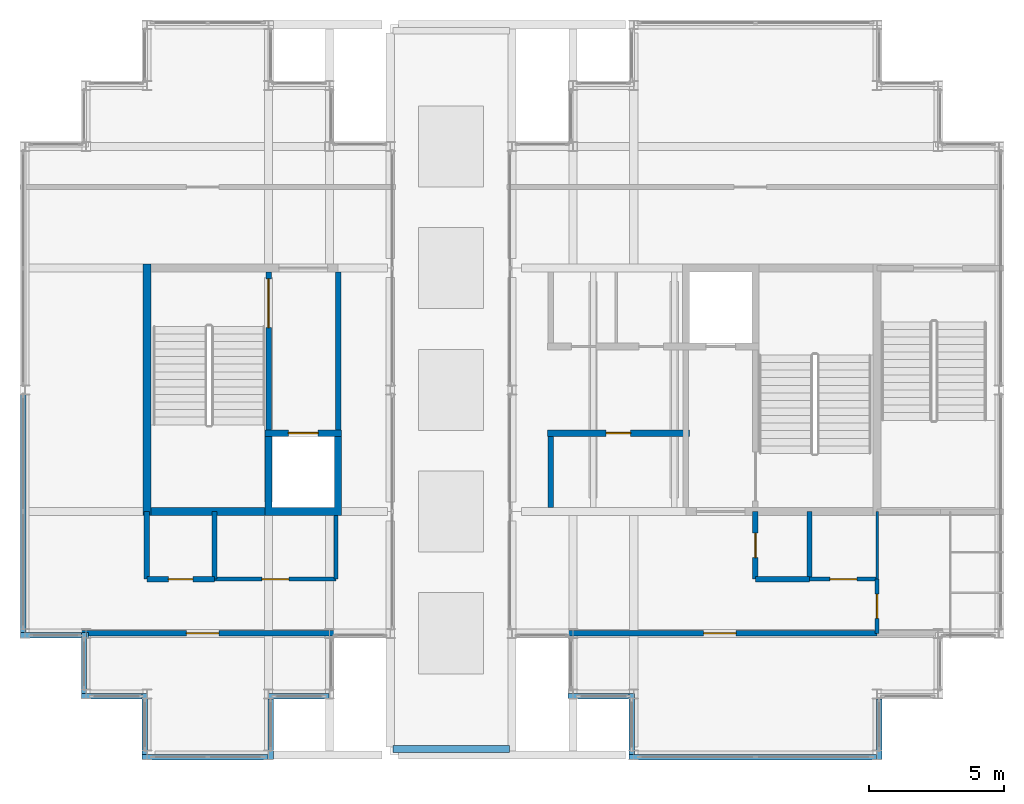
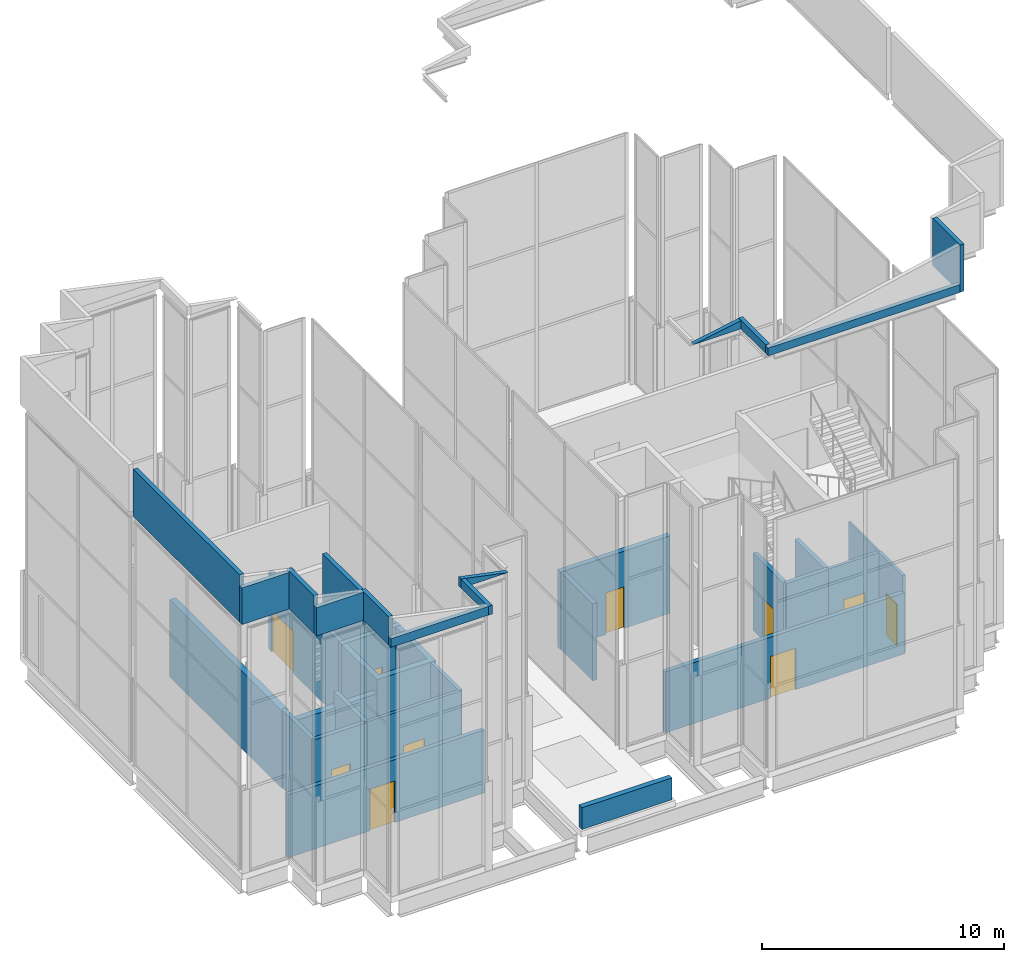
# One storey, part 14 of 23: 34 walls, 10 doors, 10 openings.
"""IFC4 building model written with IfcOpenShell, lengths in metres."""

from ifc_helpers import new_model, si_unit, direction, frame, frame_2d, origin, place, context, subcontext, project, spatial, polyline, rectangle, outline, extrude, material, layer, layer_set, type_object, element, fill, save


model = new_model("IFC4")

# Units and contexts
model_context = context("Model", 3, precision=1e-05, world=origin(), true_north=direction((0.0, 1.0)))
body_context = subcontext(model_context, "Body", "Model", "MODEL_VIEW")
ifc_project = project(units=[si_unit("LENGTHUNIT", "METRE"), si_unit("AREAUNIT", "SQUARE_METRE"), si_unit("VOLUMEUNIT", "CUBIC_METRE"), si_unit("PLANEANGLEUNIT", "RADIAN"), si_unit("MASSUNIT", "GRAM", prefix="KILO")], contexts=[model_context])

# Site, building, storey
site_placement = place(None, origin())
site = spatial("IfcSite", under=ifc_project, at=site_placement, CompositionType="ELEMENT")
building_placement = place(site_placement, origin())
building = spatial("IfcBuilding", under=site, at=building_placement, Name="Caravel Reach Hotel and Residences", CompositionType="ELEMENT")
storey_placement = place(building_placement, frame((0.0, 0.0, 312.800048828125)))
storey = spatial("IfcBuildingStorey", under=building, at=storey_placement, Name="L79", CompositionType="ELEMENT", Elevation=312.800048828125)

# Wall
ifc_material_1 = material(Name="Autoclaved aerated block wall")
ifc_layer_1 = layer(ifc_material_1, 0.199951171875)
ifc_layer_set_1 = layer_set([ifc_layer_1], Name="Compartment wall 200 mm EI 120")
wall_type_1 = type_object("IfcWallType", Name="Compartment wall 200 mm EI 120", PredefinedType="PARTITIONING", material=ifc_layer_set_1)
wall_1_placement = place(storey_placement, frame((32.935791015625, 22.64990234375, 0.0), z_axis=(0.0, 0.0, 1.0), x_axis=(0.0, 1.0, 0.0)))
element("IfcWall", 1, at=wall_1_placement, inside=storey, type_object=wall_type_1, Name="L79 store partition", PredefinedType="PARTITIONING", context=body_context, shape_type="SweptSolid", body=[
    extrude(rectangle(XDim=2.625, YDim=0.199951171875, at=frame_2d((1.3125, 0.0))), origin(), (0.0, 0.0, 1.0), 3.89990234375),
])

# Wall, opening, door
wall_2_placement = place(storey_placement, frame((33.56005859375, 18.0, 0.0), z_axis=(0.0, 0.0, 1.0), x_axis=(1.0, 0.0, 0.0)))
wall_2 = element("IfcWall", 2, at=wall_2_placement, inside=storey, type_object=wall_type_1, Name="L79 wall w006", PredefinedType="PARTITIONING", context=body_context, shape_type="SweptSolid", body=[
    extrude(rectangle(XDim=11.43994140625, YDim=0.199951171875, at=frame_2d((5.719970703125, 0.0))), origin(), (0.0, 0.0, 1.0), 3.079833984375),
])
opening_1_placement = place(wall_2_placement, frame((5.02490234375, 0.0, 0.0)))
opening_1 = element("IfcOpeningElement", 3, at=opening_1_placement, cuts=wall_2, Name="Opening D79-015", PredefinedType="OPENING", context=body_context, shape_type="SweptSolid", body=[
    extrude(rectangle(XDim=1.199951171875, YDim=2.10009765625, at=frame_2d((0.60009765625, 1.050048828125))), frame((0.0, 0.10986328125, 0.0), z_axis=(0.0, -1.0, 0.0), x_axis=(1.0, 0.0, 0.0)), (0.0, 0.0, 1.0), 0.219970703125),
])
ifc_material_2 = material(Name="Steel fire door leaf", Category="steel")
door_type_1 = type_object("IfcDoorType", Name="Plant room door 1200 x 2100 EI 60", OperationType="SINGLE_SWING_LEFT", PredefinedType="DOOR", material=ifc_material_2)
door_1_placement = place(opening_1_placement, origin())
door_1 = element("IfcDoor", 4, at=door_1_placement, inside=storey, type_object=door_type_1, Name="door D79-015", OperationType="SINGLE_SWING_LEFT", OverallHeight=2.10009765625, OverallWidth=1.199951171875, PredefinedType="DOOR", context=body_context, shape_type="SweptSolid", body=[
    extrude(rectangle(XDim=1.199951171875, YDim=2.10009765625, at=frame_2d((0.60009765625, 1.050048828125))), frame((0.0, 0.02490234375, 0.0), z_axis=(0.0, -1.0, 0.0), x_axis=(1.0, 0.0, 0.0)), (0.0, 0.0, 1.0), 0.050048828125),
])
fill(opening_1, door_1)

wall_3_placement = place(storey_placement, frame((15.56005859375, 18.0, 0.0), z_axis=(0.0, 0.0, 1.0), x_axis=(1.0, 0.0, 0.0)))
wall_3 = element("IfcWall", 5, at=wall_3_placement, inside=storey, type_object=wall_type_1, Name="L79 wall w008", PredefinedType="PARTITIONING", context=body_context, shape_type="SweptSolid", body=[
    extrude(rectangle(XDim=9.3798828125, YDim=0.199951171875, at=frame_2d((4.68994140625, 0.0))), origin(), (0.0, 0.0, 1.0), 3.179931640625),
])
opening_2_placement = place(wall_3_placement, frame((3.89990234375, 0.0, 0.0)))
opening_2 = element("IfcOpeningElement", 6, at=opening_2_placement, cuts=wall_3, Name="Opening D79-017", PredefinedType="OPENING", context=body_context, shape_type="SweptSolid", body=[
    extrude(rectangle(XDim=1.199951171875, YDim=2.10009765625, at=frame_2d((0.60009765625, 1.050048828125))), frame((0.0, 0.10986328125, 0.0), z_axis=(0.0, -1.0, 0.0), x_axis=(1.0, 0.0, 0.0)), (0.0, 0.0, 1.0), 0.219970703125),
])
door_2_placement = place(opening_2_placement, origin())
door_2 = element("IfcDoor", 7, at=door_2_placement, inside=storey, type_object=door_type_1, Name="door D79-017", OperationType="SINGLE_SWING_LEFT", OverallHeight=2.10009765625, OverallWidth=1.199951171875, PredefinedType="DOOR", context=body_context, shape_type="SweptSolid", body=[
    extrude(rectangle(XDim=1.199951171875, YDim=2.10009765625, at=frame_2d((0.60009765625, 1.050048828125))), frame((0.0, 0.02490234375, 0.0), z_axis=(0.0, -1.0, 0.0), x_axis=(1.0, 0.0, 0.0)), (0.0, 0.0, 1.0), 0.050048828125),
])
fill(opening_2, door_2)

# Wall
wall_4_placement = place(storey_placement, frame((40.5, 20.0, 0.0), z_axis=(0.0, 0.0, 1.0), x_axis=(1.0, 0.0, 0.0)))
element("IfcWall", 8, at=wall_4_placement, inside=storey, type_object=wall_type_1, Name="L79 wall w009", PredefinedType="PARTITIONING", context=body_context, shape_type="SweptSolid", body=[
    extrude(rectangle(XDim=2.0, YDim=0.199951171875, at=frame_2d((1.0, 0.0))), origin(), (0.0, 0.0, 1.0), 3.89990234375),
])

# Wall, opening, door
wall_5_placement = place(storey_placement, frame((18.0, 20.0, 0.0), z_axis=(0.0, 0.0, 1.0), x_axis=(1.0, 0.0, 0.0)))
wall_5 = element("IfcWall", 9, at=wall_5_placement, inside=storey, type_object=wall_type_1, Name="L79 wall w010", PredefinedType="PARTITIONING", context=body_context, shape_type="SweptSolid", body=[
    extrude(rectangle(XDim=2.5, YDim=0.199951171875, at=frame_2d((1.25, 0.0))), origin(), (0.0, 0.0, 1.0), 3.89990234375),
])
opening_3_placement = place(wall_5_placement, frame((0.800048828125, 0.0, 0.0)))
opening_3 = element("IfcOpeningElement", 10, at=opening_3_placement, cuts=wall_5, Name="Opening D79-013", PredefinedType="OPENING", context=body_context, shape_type="SweptSolid", body=[
    extrude(rectangle(XDim=0.89990234375, YDim=2.10009765625, at=frame_2d((0.449951171875, 1.050048828125))), frame((0.0, 0.10986328125, 0.0), z_axis=(0.0, -1.0, 0.0), x_axis=(1.0, 0.0, 0.0)), (0.0, 0.0, 1.0), 0.219970703125),
])
ifc_material_3 = material(Name="Steel fire door leaf", Category="steel")
door_type_2 = type_object("IfcDoorType", Name="Riser door 900 x 2100 EI 60", OperationType="SINGLE_SWING_LEFT", PredefinedType="DOOR", material=ifc_material_3)
door_3_placement = place(opening_3_placement, origin())
door_3 = element("IfcDoor", 11, at=door_3_placement, inside=storey, type_object=door_type_2, Name="door D79-013", OperationType="SINGLE_SWING_RIGHT", OverallHeight=2.10009765625, OverallWidth=0.89990234375, PredefinedType="DOOR", context=body_context, shape_type="SweptSolid", body=[
    extrude(rectangle(XDim=0.89990234375, YDim=2.10009765625, at=frame_2d((0.449951171875, 1.050048828125))), frame((0.0, 0.02490234375, 0.0), z_axis=(0.0, -1.0, 0.0), x_axis=(1.0, 0.0, 0.0)), (0.0, 0.0, 1.0), 0.050048828125),
])
fill(opening_3, door_3)

# Walls
for number, where, z_axis, x_axis, name in (
    (12, (18.0, 20.0, 0.0), (0.0, 0.0, 1.0), (0.0, 1.0, 0.0), "L79 wall w013"),
    (13, (20.5, 20.0, 0.0), (0.0, 0.0, 1.0), (0.0, 1.0, 0.0), "L79 wall w014"),
):
    element("IfcWall", number, at=place(storey_placement, frame(where, z_axis=z_axis, x_axis=x_axis)), inside=storey, type_object=wall_type_1, Name=name, PredefinedType="PARTITIONING", context=body_context, shape_type="SweptSolid", body=[
        extrude(rectangle(XDim=2.5, YDim=0.199951171875, at=frame_2d((1.25, 0.0))), origin(), (0.0, 0.0, 1.0), 3.89990234375),
    ])

# Wall, opening, door
wall_6_placement = place(storey_placement, frame((40.5, 20.0, 0.0), z_axis=(0.0, 0.0, 1.0), x_axis=(0.0, 1.0, 0.0)))
wall_6 = element("IfcWall", 14, at=wall_6_placement, inside=storey, type_object=wall_type_1, Name="L79 wall w015", PredefinedType="PARTITIONING", context=body_context, shape_type="SweptSolid", body=[
    extrude(rectangle(XDim=2.5, YDim=0.199951171875, at=frame_2d((1.25, 0.0))), origin(), (0.0, 0.0, 1.0), 3.89990234375),
])
opening_4_placement = place(wall_6_placement, frame((0.800048828125, 0.0, 0.0)))
opening_4 = element("IfcOpeningElement", 15, at=opening_4_placement, cuts=wall_6, Name="Opening D79-011", PredefinedType="OPENING", context=body_context, shape_type="SweptSolid", body=[
    extrude(rectangle(XDim=0.89990234375, YDim=2.10009765625, at=frame_2d((0.449951171875, 1.050048828125))), frame((0.0, 0.10986328125, 0.0), z_axis=(0.0, -1.0, 0.0), x_axis=(1.0, 0.0, 0.0)), (0.0, 0.0, 1.0), 0.219970703125),
])
door_4_placement = place(opening_4_placement, origin())
door_4 = element("IfcDoor", 16, at=door_4_placement, inside=storey, type_object=door_type_2, Name="door D79-011", OperationType="SINGLE_SWING_RIGHT", OverallHeight=2.10009765625, OverallWidth=0.89990234375, PredefinedType="DOOR", context=body_context, shape_type="SweptSolid", body=[
    extrude(rectangle(XDim=0.89990234375, YDim=2.10009765625, at=frame_2d((0.449951171875, 1.050048828125))), frame((0.0, 0.02490234375, 0.0), z_axis=(0.0, -1.0, 0.0), x_axis=(1.0, 0.0, 0.0)), (0.0, 0.0, 1.0), 0.050048828125),
])
fill(opening_4, door_4)

# Walls
wall_7_placement = place(storey_placement, frame((42.5, 20.0, 0.0), z_axis=(0.0, 0.0, 1.0), x_axis=(0.0, 1.0, 0.0)))
element("IfcWall", 17, at=wall_7_placement, inside=storey, type_object=wall_type_1, Name="L79 wall w016", PredefinedType="PARTITIONING", context=body_context, shape_type="SweptSolid", body=[
    extrude(rectangle(XDim=2.5, YDim=0.199951171875, at=frame_2d((1.25, 0.0))), origin(), (0.0, 0.0, 1.0), 3.89990234375),
])
ifc_material_4 = material(Name="Concrete C60", Category="concrete")
ifc_layer_2 = layer(ifc_material_4, 0.300048828125)
ifc_layer_set_2 = layer_set([ifc_layer_2], Name="Core wall 300 mm EI 120")
wall_type_2 = type_object("IfcWallType", Name="Core wall 300 mm EI 120", PredefinedType="SHEAR", material=ifc_layer_set_2)
wall_8_placement = place(storey_placement, frame((18.14990234375, 22.5, 0.0), z_axis=(0.0, 0.0, 1.0), x_axis=(1.0, 0.0, 0.0)))
element("IfcWall", 18, at=wall_8_placement, inside=storey, type_object=wall_type_2, Name="L79 core wall S1", PredefinedType="SHEAR", context=body_context, shape_type="SweptSolid", body=[
    extrude(rectangle(XDim=4.22509765625, YDim=0.300048828125, at=frame_2d((2.112548828125, 0.0))), origin(), (0.0, 0.0, 1.0), 3.199951171875),
])
wall_9_placement = place(storey_placement, frame((18.0, 22.35009765625, 0.0), z_axis=(0.0, 0.0, 1.0), x_axis=(0.0, 1.0, 0.0)))
element("IfcWall", 19, at=wall_9_placement, inside=storey, type_object=wall_type_2, Name="L79 core wall W", PredefinedType="SHEAR", context=body_context, shape_type="SweptSolid", body=[
    extrude(rectangle(XDim=9.2998046875, YDim=0.300048828125, at=frame_2d((4.64990234375, 0.0))), origin(), (0.0, 0.0, 1.0), 3.89990234375),
])

# Wall, opening, door
ifc_material_5 = material(Name="Gypsum board on steel stud, fire-rated", Category="steel")
ifc_layer_3 = layer(ifc_material_5, 0.14990234375)
ifc_layer_set_3 = layer_set([ifc_layer_3], Name="Corridor wall 150 mm EI 60")
wall_type_3 = type_object("IfcWallType", Name="Corridor wall 150 mm EI 60", PredefinedType="PARTITIONING", material=ifc_layer_set_3)
wall_10_placement = place(storey_placement, frame((42.5, 20.0, 0.0), z_axis=(0.0, 0.0, 1.0), x_axis=(1.0, 0.0, 0.0)))
wall_10 = element("IfcWall", 20, at=wall_10_placement, inside=storey, type_object=wall_type_3, Name="L79 wall w001", PredefinedType="PARTITIONING", context=body_context, shape_type="SweptSolid", body=[
    extrude(rectangle(XDim=2.5, YDim=0.14990234375, at=frame_2d((1.25, 0.0))), origin(), (0.0, 0.0, 1.0), 3.89990234375),
])
opening_5_placement = place(wall_10_placement, frame((0.75, 0.0, 0.0)))
opening_5 = element("IfcOpeningElement", 21, at=opening_5_placement, cuts=wall_10, Name="Opening D79-012", PredefinedType="OPENING", context=body_context, shape_type="SweptSolid", body=[
    extrude(rectangle(XDim=1.0, YDim=2.10009765625, at=frame_2d((0.5, 1.050048828125))), frame((0.0, 0.0849609375, 0.0), z_axis=(0.0, -1.0, 0.0), x_axis=(1.0, 0.0, 0.0)), (0.0, 0.0, 1.0), 0.169921875),
])
ifc_material_6 = material(Name="Steel fire door leaf", Category="steel")
door_type_3 = type_object("IfcDoorType", Name="Fire door 1000 x 2100 EI 60", OperationType="SINGLE_SWING_LEFT", PredefinedType="DOOR", material=ifc_material_6)
door_5_placement = place(opening_5_placement, origin())
door_5 = element("IfcDoor", 22, at=door_5_placement, inside=storey, type_object=door_type_3, Name="door D79-012", OperationType="SINGLE_SWING_RIGHT", OverallHeight=2.10009765625, OverallWidth=1.0, PredefinedType="DOOR", context=body_context, shape_type="SweptSolid", body=[
    extrude(rectangle(XDim=1.0, YDim=2.10009765625, at=frame_2d((0.5, 1.050048828125))), frame((0.0, 0.02490234375, 0.0), z_axis=(0.0, -1.0, 0.0), x_axis=(1.0, 0.0, 0.0)), (0.0, 0.0, 1.0), 0.050048828125),
])
fill(opening_5, door_5)

wall_11_placement = place(storey_placement, frame((20.5, 20.0, 0.0), z_axis=(0.0, 0.0, 1.0), x_axis=(1.0, 0.0, 0.0)))
wall_11 = element("IfcWall", 23, at=wall_11_placement, inside=storey, type_object=wall_type_3, Name="L79 wall w002", PredefinedType="PARTITIONING", context=body_context, shape_type="SweptSolid", body=[
    extrude(rectangle(XDim=4.5, YDim=0.14990234375, at=frame_2d((2.25, 0.0))), origin(), (0.0, 0.0, 1.0), 3.89990234375),
])
opening_6_placement = place(wall_11_placement, frame((1.75, 0.0, 0.0)))
opening_6 = element("IfcOpeningElement", 24, at=opening_6_placement, cuts=wall_11, Name="Opening D79-014", PredefinedType="OPENING", context=body_context, shape_type="SweptSolid", body=[
    extrude(rectangle(XDim=1.0, YDim=2.10009765625, at=frame_2d((0.5, 1.050048828125))), frame((0.0, 0.0849609375, 0.0), z_axis=(0.0, -1.0, 0.0), x_axis=(1.0, 0.0, 0.0)), (0.0, 0.0, 1.0), 0.169921875),
])
door_6_placement = place(opening_6_placement, origin())
door_6 = element("IfcDoor", 25, at=door_6_placement, inside=storey, type_object=door_type_3, Name="door D79-014", OperationType="SINGLE_SWING_LEFT", OverallHeight=2.10009765625, OverallWidth=1.0, PredefinedType="DOOR", context=body_context, shape_type="SweptSolid", body=[
    extrude(rectangle(XDim=1.0, YDim=2.10009765625, at=frame_2d((0.5, 1.050048828125))), frame((0.0, 0.02490234375, 0.0), z_axis=(0.0, -1.0, 0.0), x_axis=(1.0, 0.0, 0.0)), (0.0, 0.0, 1.0), 0.050048828125),
])
fill(opening_6, door_6)

# Wall
wall_12_placement = place(storey_placement, frame((25.0, 20.0, 0.0), z_axis=(0.0, 0.0, 1.0), x_axis=(0.0, 1.0, 0.0)))
element("IfcWall", 26, at=wall_12_placement, inside=storey, type_object=wall_type_3, Name="L79 wall w003", PredefinedType="PARTITIONING", context=body_context, shape_type="SweptSolid", body=[
    extrude(rectangle(XDim=2.35009765625, YDim=0.14990234375, at=frame_2d((1.175048828125, 0.0))), origin(), (0.0, 0.0, 1.0), 3.89990234375),
])

# Wall, opening, door
wall_13_placement = place(storey_placement, frame((45.0, 18.0, 0.0), z_axis=(0.0, 0.0, 1.0), x_axis=(0.0, 1.0, 0.0)))
wall_13 = element("IfcWall", 27, at=wall_13_placement, inside=storey, type_object=wall_type_3, Name="L79 wall w004", PredefinedType="PARTITIONING", context=body_context, shape_type="SweptSolid", body=[
    extrude(rectangle(XDim=2.0, YDim=0.14990234375, at=frame_2d((1.0, 0.0))), origin(), (0.0, 0.0, 1.0), 3.89990234375),
])
opening_7_placement = place(wall_13_placement, frame((0.550048828125, 0.0, 0.0)))
opening_7 = element("IfcOpeningElement", 28, at=opening_7_placement, cuts=wall_13, Name="Opening D79-019", PredefinedType="OPENING", context=body_context, shape_type="SweptSolid", body=[
    extrude(rectangle(XDim=0.89990234375, YDim=2.10009765625, at=frame_2d((0.449951171875, 1.050048828125))), frame((0.0, 0.0849609375, 0.0), z_axis=(0.0, -1.0, 0.0), x_axis=(1.0, 0.0, 0.0)), (0.0, 0.0, 1.0), 0.169921875),
])
ifc_material_7 = material(Name="Timber and steel door leaf", Category="steel")
door_type_4 = type_object("IfcDoorType", Name="Door 900 x 2100 timber", OperationType="SINGLE_SWING_LEFT", PredefinedType="DOOR", material=ifc_material_7)
door_7_placement = place(opening_7_placement, origin())
door_7 = element("IfcDoor", 29, at=door_7_placement, inside=storey, type_object=door_type_4, Name="door D79-019", OperationType="SINGLE_SWING_RIGHT", OverallHeight=2.10009765625, OverallWidth=0.89990234375, PredefinedType="DOOR", context=body_context, shape_type="SweptSolid", body=[
    extrude(rectangle(XDim=0.89990234375, YDim=2.10009765625, at=frame_2d((0.449951171875, 1.050048828125))), frame((0.0, 0.02490234375, 0.0), z_axis=(0.0, -1.0, 0.0), x_axis=(1.0, 0.0, 0.0)), (0.0, 0.0, 1.0), 0.050048828125),
])
fill(opening_7, door_7)

# Walls
ifc_material_8 = material(Name="Insulated rainscreen wall, aluminium cladding", Category="aluminium")
ifc_layer_4 = layer(ifc_material_8, 0.199951171875)
ifc_layer_set_4 = layer_set([ifc_layer_4], Name="EW4 Crown gable cladding 200")
wall_type_4 = type_object("IfcWallType", Name="EW4 Crown gable cladding 200", PredefinedType="SOLIDWALL", material=ifc_layer_set_4)
wall_14_placement = place(storey_placement, frame((45.074951171875, 13.324951171875, 21.0), z_axis=(0.0, 0.0, 1.0), x_axis=(0.0, 1.0, 0.0)))
element("IfcWall", 30, at=wall_14_placement, inside=storey, type_object=wall_type_4, Name="Crown cladding east 1.1", PredefinedType="SOLIDWALL", context=body_context, shape_type="SweptSolid", body=[
    extrude(rectangle(XDim=2.25, YDim=0.199951171875, at=frame_2d((1.125, 0.0))), origin(), (0.0, 0.0, 1.0), 2.385498046875),
])
wall_15_placement = place(storey_placement, frame((33.574951171875, 15.675048828125, 21.0), z_axis=(0.0, 0.0, 1.0), x_axis=(1.0, 0.0, 0.0)))
element("IfcWall", 31, at=wall_15_placement, inside=storey, type_object=wall_type_4, Name="Crown cladding east 18.1", PredefinedType="SOLIDWALL", context=body_context, shape_type="SweptSolid", body=[
    extrude(outline(polyline([(0.0, 0.0), (2.25, 0.0), (2.25, 0.419189453125), (0.0, 0.0)])), frame((0.0, 0.10009765625, 0.0), z_axis=(0.0, -1.0, 0.0), x_axis=(1.0, 0.0, 0.0)), (0.0, 0.0, 1.0), 0.199951171875),
])
wall_16_placement = place(storey_placement, frame((35.925048828125, 15.77490234375, 21.0), z_axis=(0.0, 0.0, 1.0), x_axis=(0.0, -1.0, 0.0)))
element("IfcWall", 32, at=wall_16_placement, inside=storey, type_object=wall_type_4, Name="Crown cladding east 19.1", PredefinedType="SOLIDWALL", context=body_context, shape_type="SweptSolid", body=[
    extrude(rectangle(XDim=2.25, YDim=0.199951171875, at=frame_2d((1.125, 0.0))), origin(), (0.0, 0.0, 1.0), 0.4404296875),
])
wall_17_placement = place(storey_placement, frame((35.824951171875, 13.425048828125, 21.0), z_axis=(0.0, 0.0, 1.0), x_axis=(1.0, 0.0, 0.0)))
element("IfcWall", 33, at=wall_17_placement, inside=storey, type_object=wall_type_4, Name="Crown cladding east 20.1", PredefinedType="SOLIDWALL", context=body_context, shape_type="SweptSolid", body=[
    extrude(rectangle(XDim=9.150146484375, YDim=0.199951171875, at=frame_2d((4.5751953125, 0.0))), origin(), (0.0, 0.0, 1.0), 0.399169921875),
])
wall_18_placement = place(storey_placement, frame((22.574951171875, 13.324951171875, 12.599853515625), z_axis=(0.0, 0.0, 1.0), x_axis=(0.0, 1.0, 0.0)))
element("IfcWall", 34, at=wall_18_placement, inside=storey, type_object=wall_type_4, Name="Crown cladding west 21.1", PredefinedType="SOLIDWALL", context=body_context, shape_type="SweptSolid", body=[
    extrude(rectangle(XDim=2.25, YDim=0.199951171875, at=frame_2d((1.125, 0.0))), origin(), (0.0, 0.0, 1.0), 0.440673828125),
])
wall_19_placement = place(storey_placement, frame((22.47509765625, 15.675048828125, 12.599853515625), z_axis=(0.0, 0.0, 1.0), x_axis=(1.0, 0.0, 0.0)))
element("IfcWall", 35, at=wall_19_placement, inside=storey, type_object=wall_type_4, Name="Crown cladding west 22.1", PredefinedType="SOLIDWALL", context=body_context, shape_type="SweptSolid", body=[
    extrude(outline(polyline([(0.0, 0.0), (2.25, 0.0), (0.0, 0.4619140625), (0.0, 0.0)])), frame((0.0, 0.10009765625, 0.0), z_axis=(0.0, -1.0, 0.0), x_axis=(1.0, 0.0, 0.0)), (0.0, 0.0, 1.0), 0.199951171875),
])
wall_20_placement = place(storey_placement, frame((13.425048828125, 26.824951171875, 12.599853515625), z_axis=(0.0, 0.0, 1.0), x_axis=(0.0, -1.0, 0.0)))
element("IfcWall", 36, at=wall_20_placement, inside=storey, type_object=wall_type_4, Name="Crown cladding west 35.2", PredefinedType="SOLIDWALL", context=body_context, shape_type="SweptSolid", body=[
    extrude(rectangle(XDim=8.800048828125, YDim=0.199951171875, at=frame_2d((4.39990234375, 0.0))), origin(), (0.0, 0.0, 1.0), 2.385498046875),
])
wall_21_placement = place(storey_placement, frame((13.324951171875, 17.925048828125, 12.599853515625), z_axis=(0.0, 0.0, 1.0), x_axis=(1.0, 0.0, 0.0)))
element("IfcWall", 37, at=wall_21_placement, inside=storey, type_object=wall_type_4, Name="Crown cladding west 36.1", PredefinedType="SOLIDWALL", context=body_context, shape_type="SweptSolid", body=[
    extrude(rectangle(XDim=2.525146484375, YDim=0.199951171875, at=frame_2d((1.2626953125, 0.0))), origin(), (0.0, 0.0, 1.0), 1.85009765625),
])
wall_22_placement = place(storey_placement, frame((15.675048828125, 18.02490234375, 12.599853515625), z_axis=(0.0, 0.0, 1.0), x_axis=(0.0, -1.0, 0.0)))
element("IfcWall", 38, at=wall_22_placement, inside=storey, type_object=wall_type_4, Name="Crown cladding west 37.1", PredefinedType="SOLIDWALL", context=body_context, shape_type="SweptSolid", body=[
    extrude(rectangle(XDim=2.25, YDim=0.199951171875, at=frame_2d((1.125, 0.0))), origin(), (0.0, 0.0, 1.0), 1.9072265625),
])
wall_23_placement = place(storey_placement, frame((15.574951171875, 15.675048828125, 12.599853515625), z_axis=(0.0, 0.0, 1.0), x_axis=(1.0, 0.0, 0.0)))
element("IfcWall", 39, at=wall_23_placement, inside=storey, type_object=wall_type_4, Name="Crown cladding west 38.1", PredefinedType="SOLIDWALL", context=body_context, shape_type="SweptSolid", body=[
    extrude(rectangle(XDim=2.25, YDim=0.199951171875, at=frame_2d((1.125, 0.0))), origin(), (0.0, 0.0, 1.0), 1.430419921875),
])
wall_24_placement = place(storey_placement, frame((17.925048828125, 15.77490234375, 12.599853515625), z_axis=(0.0, 0.0, 1.0), x_axis=(0.0, -1.0, 0.0)))
element("IfcWall", 40, at=wall_24_placement, inside=storey, type_object=wall_type_4, Name="Crown cladding west 39.1", PredefinedType="SOLIDWALL", context=body_context, shape_type="SweptSolid", body=[
    extrude(rectangle(XDim=2.25, YDim=0.199951171875, at=frame_2d((1.125, 0.0))), origin(), (0.0, 0.0, 1.0), 1.428955078125),
])
wall_25_placement = place(storey_placement, frame((17.824951171875, 13.425048828125, 12.599853515625), z_axis=(0.0, 0.0, 1.0), x_axis=(1.0, 0.0, 0.0)))
element("IfcWall", 41, at=wall_25_placement, inside=storey, type_object=wall_type_4, Name="Crown cladding west 40.1", PredefinedType="SOLIDWALL", context=body_context, shape_type="SweptSolid", body=[
    extrude(rectangle(XDim=4.650146484375, YDim=0.199951171875, at=frame_2d((2.3251953125, 0.0))), origin(), (0.0, 0.0, 1.0), 0.44189453125),
])
ifc_material_9 = material(Name="Autoclaved aerated block wall")
ifc_layer_5 = layer(ifc_material_9, 0.199951171875)
ifc_layer_set_5 = layer_set([ifc_layer_5], Name="Fire lobby wall 200 mm EI 120")
wall_type_5 = type_object("IfcWallType", Name="Fire lobby wall 200 mm EI 120", PredefinedType="PARTITIONING", material=ifc_layer_set_5)
wall_26_placement = place(storey_placement, frame((25.071533203125, 25.52490234375, 0.0), z_axis=(0.0, 0.0, 1.0), x_axis=(0.0, 1.0, 0.0)))
element("IfcWall", 42, at=wall_26_placement, inside=storey, type_object=wall_type_5, Name="L79 lobby W closing wall", PredefinedType="PARTITIONING", context=body_context, shape_type="SweptSolid", body=[
    extrude(rectangle(XDim=5.8251953125, YDim=0.199951171875, at=frame_2d((2.91259765625, 0.0))), origin(), (0.0, 0.0, 1.0), 3.89990234375),
])
ifc_material_10 = material(Name="Reinforced concrete upstand, aluminium coping", Category="concrete")
ifc_layer_6 = layer(ifc_material_10, 0.25)
ifc_layer_set_6 = layer_set([ifc_layer_6], Name="PA2 Roof parapet 200")
wall_type_6 = type_object("IfcWallType", Name="PA2 Roof parapet 200", PredefinedType="PARAPET", material=ifc_layer_set_6)
wall_27_placement = place(storey_placement, frame((27.10009765625, 13.72509765625, 0.0), z_axis=(0.0, 0.0, 1.0), x_axis=(1.0, 0.0, 0.0)))
element("IfcWall", 43, at=wall_27_placement, inside=storey, type_object=wall_type_6, Name="Slot deck parapet south", PredefinedType="PARAPET", context=body_context, shape_type="SweptSolid", body=[
    extrude(rectangle(XDim=4.2998046875, YDim=0.25, at=frame_2d((2.14990234375, 0.0))), origin(), (0.0, 0.0, 1.0), 1.099853515625),
])
ifc_material_11 = material(Name="Gypsum board on steel stud", Category="steel")
ifc_layer_7 = layer(ifc_material_11, 0.10009765625)
ifc_layer_set_7 = layer_set([ifc_layer_7], Name="Partition 100 mm")
wall_type_7 = type_object("IfcWallType", Name="Partition 100 mm", PredefinedType="PARTITIONING", material=ifc_layer_set_7)
wall_28_placement = place(storey_placement, frame((45.0, 20.0, 0.0), z_axis=(0.0, 0.0, 1.0), x_axis=(0.0, 1.0, 0.0)))
element("IfcWall", 44, at=wall_28_placement, inside=storey, type_object=wall_type_7, Name="L79 wall w005", PredefinedType="PARTITIONING", context=body_context, shape_type="SweptSolid", body=[
    extrude(rectangle(XDim=2.5, YDim=0.10009765625, at=frame_2d((1.25, 0.0))), origin(), (0.0, 0.0, 1.0), 3.89990234375),
])
ifc_material_12 = material(Name="Concrete C60", Category="concrete")
ifc_layer_8 = layer(ifc_material_12, 0.25)
ifc_layer_set_8 = layer_set([ifc_layer_8], Name="Shaft wall 250 mm EI 120")
wall_type_8 = type_object("IfcWallType", Name="Shaft wall 250 mm EI 120", PredefinedType="SHEAR", material=ifc_layer_set_8)
wall_29_placement = place(storey_placement, origin())
element("IfcWall", 45, at=wall_29_placement, inside=storey, type_object=wall_type_8, Name="L79 lift shaft wall S1", PredefinedType="SHEAR", context=body_context, shape_type="SweptSolid", body=[
    extrude(outline(polyline([(22.375, 22.35009765625), (25.196533203125, 22.35009765625), (25.196533203125, 25.27490234375), (24.946533203125, 25.27490234375), (24.946533203125, 22.64990234375), (22.625, 22.64990234375), (22.625, 25.27490234375), (22.375, 25.27490234375), (22.375, 22.35009765625)])), origin(), (0.0, 0.0, 1.0), 3.89990234375),
])

# Wall, opening, door
wall_30_placement = place(storey_placement, frame((22.375, 25.39990234375, 0.0), z_axis=(0.0, 0.0, 1.0), x_axis=(1.0, 0.0, 0.0)))
wall_30 = element("IfcWall", 46, at=wall_30_placement, inside=storey, type_object=wall_type_8, Name="L79 lobby wall S1", PredefinedType="SHEAR", context=body_context, shape_type="SweptSolid", body=[
    extrude(rectangle(XDim=2.821533203125, YDim=0.25, at=frame_2d((1.41064453125, 0.0))), origin(), (0.0, 0.0, 1.0), 3.89990234375),
])
opening_8_placement = place(wall_30_placement, frame((0.860595703125, 0.0, 0.0)))
opening_8 = element("IfcOpeningElement", 47, at=opening_8_placement, cuts=wall_30, Name="Opening D79-001", PredefinedType="OPENING", context=body_context, shape_type="SweptSolid", body=[
    extrude(rectangle(XDim=1.10009765625, YDim=2.10009765625, at=frame_2d((0.550048828125, 1.050048828125))), frame((0.0, 0.135009765625, 0.0), z_axis=(0.0, -1.0, 0.0), x_axis=(1.0, 0.0, 0.0)), (0.0, 0.0, 1.0), 0.27001953125),
])
ifc_material_13 = material(Name="Stainless steel landing door", Category="steel")
door_type_5 = type_object("IfcDoorType", Name="Landing door LD 1100 x 2100 sliding", OperationType="DOUBLE_DOOR_SLIDING", PredefinedType="DOOR", material=ifc_material_13)
door_8_placement = place(opening_8_placement, origin())
door_8 = element("IfcDoor", 48, at=door_8_placement, inside=storey, type_object=door_type_5, Name="FL1 landing door", OperationType="DOUBLE_DOOR_SLIDING", OverallHeight=2.10009765625, OverallWidth=1.10009765625, PredefinedType="DOOR", context=body_context, shape_type="SweptSolid", body=[
    extrude(rectangle(XDim=1.10009765625, YDim=2.10009765625, at=frame_2d((0.550048828125, 1.050048828125))), frame((0.0, 0.02490234375, 0.0), z_axis=(0.0, -1.0, 0.0), x_axis=(1.0, 0.0, 0.0)), (0.0, 0.0, 1.0), 0.050048828125),
])
fill(opening_8, door_8)

wall_31_placement = place(storey_placement, frame((32.810791015625, 25.39990234375, 0.0), z_axis=(0.0, 0.0, 1.0), x_axis=(1.0, 0.0, 0.0)))
wall_31 = element("IfcWall", 49, at=wall_31_placement, inside=storey, type_object=wall_type_8, Name="L79 lobby wall S2", PredefinedType="SHEAR", context=body_context, shape_type="SweptSolid", body=[
    extrude(rectangle(XDim=5.24267578125, YDim=0.25, at=frame_2d((2.621337890625, 0.0))), origin(), (0.0, 0.0, 1.0), 3.89990234375),
])
opening_9_placement = place(wall_31_placement, frame((2.17138671875, 0.0, 0.0)))
opening_9 = element("IfcOpeningElement", 50, at=opening_9_placement, cuts=wall_31, Name="Opening D79-003", PredefinedType="OPENING", context=body_context, shape_type="SweptSolid", body=[
    extrude(rectangle(XDim=0.89990234375, YDim=2.10009765625, at=frame_2d((0.449951171875, 1.050048828125))), frame((0.0, 0.135009765625, 0.0), z_axis=(0.0, -1.0, 0.0), x_axis=(1.0, 0.0, 0.0)), (0.0, 0.0, 1.0), 0.27001953125),
])
door_9_placement = place(opening_9_placement, origin())
door_9 = element("IfcDoor", 51, at=door_9_placement, inside=storey, type_object=door_type_2, Name="Refuse store door", OperationType="SINGLE_SWING_LEFT", OverallHeight=2.10009765625, OverallWidth=0.89990234375, PredefinedType="DOOR", context=body_context, shape_type="SweptSolid", body=[
    extrude(rectangle(XDim=0.89990234375, YDim=2.10009765625, at=frame_2d((0.449951171875, 1.050048828125))), frame((0.0, 0.02490234375, 0.0), z_axis=(0.0, -1.0, 0.0), x_axis=(1.0, 0.0, 0.0)), (0.0, 0.0, 1.0), 0.050048828125),
])
fill(opening_9, door_9)

ifc_material_14 = material(Name="Concrete C60", Category="concrete")
ifc_layer_9 = layer(ifc_material_14, 0.199951171875)
ifc_layer_set_9 = layer_set([ifc_layer_9], Name="Stair enclosure wall 200 mm EI 120")
wall_type_9 = type_object("IfcWallType", Name="Stair enclosure wall 200 mm EI 120", PredefinedType="SHEAR", material=ifc_layer_set_9)
wall_32_placement = place(storey_placement, frame((22.5, 31.35009765625, 0.0), z_axis=(0.0, 0.0, 1.0), x_axis=(0.0, -1.0, 0.0)))
wall_32 = element("IfcWall", 52, at=wall_32_placement, inside=storey, type_object=wall_type_9, Name="L79 stair A wall", PredefinedType="SHEAR", context=body_context, shape_type="SweptSolid", body=[
    extrude(rectangle(XDim=5.8251953125, YDim=0.199951171875, at=frame_2d((2.91259765625, 0.0))), origin(), (0.0, 0.0, 1.0), 3.89990234375),
])
opening_10_placement = place(wall_32_placement, frame((0.25, 0.0, 0.0)))
opening_10 = element("IfcOpeningElement", 53, at=opening_10_placement, cuts=wall_32, Name="Opening D79-006", PredefinedType="OPENING", context=body_context, shape_type="SweptSolid", body=[
    extrude(rectangle(XDim=1.800048828125, YDim=2.10009765625, at=frame_2d((0.89990234375, 1.050048828125))), frame((0.0, 0.10986328125, 0.0), z_axis=(0.0, -1.0, 0.0), x_axis=(1.0, 0.0, 0.0)), (0.0, 0.0, 1.0), 0.219970703125),
])
ifc_material_15 = material(Name="Steel fire door leaf", Category="steel")
door_type_6 = type_object("IfcDoorType", Name="Stair door pair 1800 x 2100 EI 90", OperationType="DOUBLE_DOOR_SINGLE_SWING", PredefinedType="DOOR", material=ifc_material_15)
door_10_placement = place(opening_10_placement, origin())
door_10 = element("IfcDoor", 54, at=door_10_placement, inside=storey, type_object=door_type_6, Name="stair A door pair", OperationType="DOUBLE_DOOR_SINGLE_SWING", OverallHeight=2.10009765625, OverallWidth=1.800048828125, PredefinedType="DOOR", context=body_context, shape_type="SweptSolid", body=[
    extrude(rectangle(XDim=1.800048828125, YDim=2.10009765625, at=frame_2d((0.89990234375, 1.050048828125))), frame((0.0, 0.02490234375, 0.0), z_axis=(0.0, -1.0, 0.0), x_axis=(1.0, 0.0, 0.0)), (0.0, 0.0, 1.0), 0.050048828125),
])
fill(opening_10, door_10)

save(model, "model.ifc")
